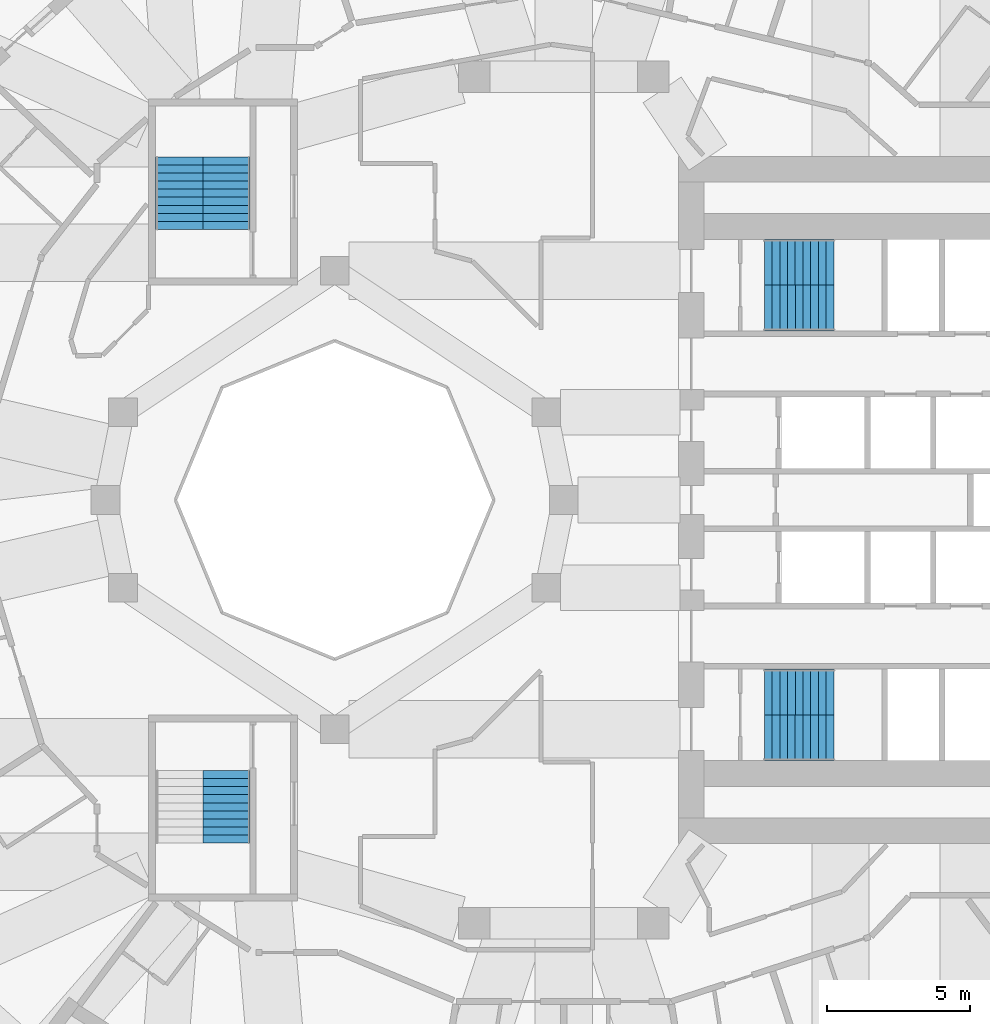
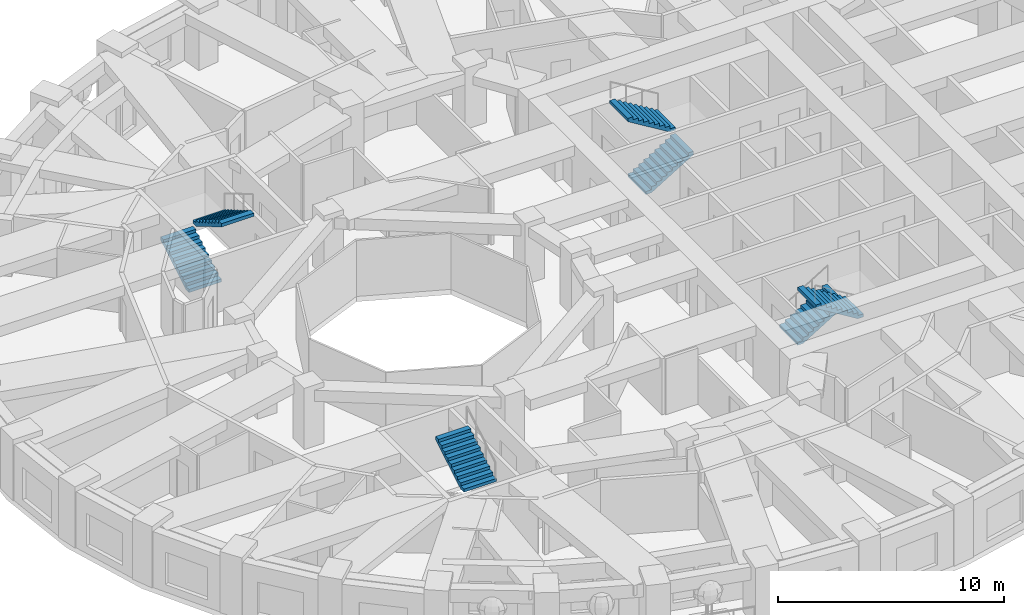
# One storey, part 10 of 13: 7 stair flights, 4 elements without a shape of their own.
"""IFC4 building model written with IfcOpenShell, lengths in metres."""

from ifc_helpers import new_model, si_unit, direction, frame, origin, place, context, subcontext, project, spatial, polyline, outline, extrude, material, type_object, element, aggregate, save


model = new_model("IFC4")

# Units and contexts
model_context = context("Model", 3, precision=1e-05, world=origin(), true_north=direction((0.0, 1.0)))
body_context = subcontext(model_context, "Body", "Model", "MODEL_VIEW")
ifc_project = project(units=[si_unit("LENGTHUNIT", "METRE"), si_unit("AREAUNIT", "SQUARE_METRE"), si_unit("VOLUMEUNIT", "CUBIC_METRE"), si_unit("PLANEANGLEUNIT", "RADIAN"), si_unit("MASSUNIT", "GRAM", prefix="KILO")], contexts=[model_context])

# Site, building, storey
site_placement = place(None, origin())
site = spatial("IfcSite", under=ifc_project, at=site_placement, CompositionType="ELEMENT")
building_placement = place(site_placement, origin())
building = spatial("IfcBuilding", under=site, at=building_placement, Name="Taillehof Tower", CompositionType="ELEMENT")
storey_placement = place(building_placement, frame((0.0, 0.0, 41.5)))
storey = spatial("IfcBuildingStorey", under=building, at=storey_placement, Name="L10", CompositionType="ELEMENT", Elevation=41.5)

# Stair, stair flights
ifc_material_1 = material(Name="Concrete C40/50", Category="concrete")
stair_type = type_object("IfcStairType", Name="Exit stair half-turn", PredefinedType="HALF_TURN_STAIR", material=ifc_material_1)
stair_1_placement = place(storey_placement, origin())
stair_1 = element("IfcStair", 1, at=stair_1_placement, inside=storey, type_object=stair_type, Name="Exit stair S1", PredefinedType="HALF_TURN_STAIR")
ifc_material_2 = material(Name="Concrete C40/50", Category="concrete")
stair_flight_type_1 = type_object("IfcStairFlightType", Name="Stair flight 1600 riser 165.0 going 270", PredefinedType="STRAIGHT", material=ifc_material_2)
stair_flight_1_placement = place(storey_placement, frame((7.0, 6.699951171875, 0.0), z_axis=(0.0, 0.0, 1.0), x_axis=(1.0, 0.0, 0.0)))
stair_flight_1 = element("IfcStairFlight", 2, at=stair_flight_1_placement, type_object=stair_flight_type_1, Name="S1 flight 1", NumberOfRisers=10, NumberOfTreads=9, PredefinedType="STRAIGHT", RiserHeight=0.165, TreadLength=0.27, context=body_context, shape_type="SweptSolid", body=[
    extrude(outline(polyline([(0.0, 0.0), (0.0, 0.00537109375), (0.0, 0.0107421875), (0.0, 0.015869140625), (0.0, 0.021240234375), (0.0, 0.026611328125), (0.0, 0.031982421875), (0.0, 0.037353515625), (0.0, 0.04248046875), (0.0, 0.0478515625), (0.0, 0.05322265625), (0.0, 0.05859375), (0.0, 0.06396484375), (0.0, 0.069091796875), (0.0, 0.074462890625), (0.0, 0.079833984375), (0.0, 0.085205078125), (0.0, 0.090576171875), (0.0, 0.095703125), (0.0, 0.10107421875), (0.0, 0.1064453125), (0.0, 0.11181640625), (0.0, 0.1171875), (0.0, 0.122314453125), (0.0, 0.127685546875), (0.0, 0.133056640625), (0.0, 0.138427734375), (0.0, 0.143798828125), (0.0, 0.14892578125), (0.0, 0.154296875), (0.0, 0.15966796875), (0.0, 0.1650390625), (0.27001953125, 0.1650390625), (0.27001953125, 0.330078125), (0.5400390625, 0.330078125), (0.5400390625, 0.4951171875), (0.81005859375, 0.4951171875), (0.81005859375, 0.659912109375), (1.080078125, 0.659912109375), (1.080078125, 0.824951171875), (1.35009765625, 0.824951171875), (1.35009765625, 0.989990234375), (1.6201171875, 0.989990234375), (1.6201171875, 1.155029296875), (1.889892578125, 1.155029296875), (1.889892578125, 1.320068359375), (2.159912109375, 1.320068359375), (2.159912109375, 1.485107421875), (2.429931640625, 1.485107421875), (2.429931640625, 1.479248046875), (2.429931640625, 1.4736328125), (2.429931640625, 1.468017578125), (2.429931640625, 1.46240234375), (2.429931640625, 1.45654296875), (2.429931640625, 1.450927734375), (2.429931640625, 1.4453125), (2.429931640625, 1.439697265625), (2.429931640625, 1.43408203125), (2.429931640625, 1.42822265625), (2.429931640625, 1.422607421875), (2.429931640625, 1.4169921875), (2.429931640625, 1.411376953125), (2.429931640625, 1.40576171875), (2.429931640625, 1.39990234375), (2.429931640625, 1.394287109375), (2.429931640625, 1.388671875), (2.429931640625, 1.383056640625), (2.429931640625, 1.37744140625), (2.429931640625, 1.37158203125), (2.429931640625, 1.365966796875), (2.429931640625, 1.3603515625), (2.429931640625, 1.354736328125), (2.429931640625, 1.348876953125), (2.429931640625, 1.34326171875), (2.429931640625, 1.337646484375), (2.429931640625, 1.33203125), (2.429931640625, 1.326416015625), (2.429931640625, 1.320556640625), (2.429931640625, 1.31494140625), (2.429931640625, 1.309326171875), (0.287353515625, 0.0), (0.0, 0.0)])), frame((0.0, 0.800048828125, 0.0), z_axis=(0.0, -1.0, 0.0), x_axis=(1.0, 0.0, 0.0)), (0.0, 0.0, 1.0), 1.6),
])
stair_flight_2_placement = place(storey_placement, frame((9.429931640625, 8.300048828125, 1.64990234375), z_axis=(0.0, 0.0, 1.0), x_axis=(-1.0, 0.0, 0.0)))
stair_flight_2 = element("IfcStairFlight", 3, at=stair_flight_2_placement, type_object=stair_flight_type_1, Name="S1 flight 2", NumberOfRisers=10, NumberOfTreads=9, PredefinedType="STRAIGHT", RiserHeight=0.165, TreadLength=0.27, context=body_context, shape_type="SweptSolid", body=[
    extrude(outline(polyline([(0.0, 0.0), (0.0, 0.00537109375), (0.0, 0.0107421875), (0.0, 0.015869140625), (0.0, 0.021240234375), (0.0, 0.026611328125), (0.0, 0.031982421875), (0.0, 0.037353515625), (0.0, 0.04248046875), (0.0, 0.0478515625), (0.0, 0.05322265625), (0.0, 0.05859375), (0.0, 0.06396484375), (0.0, 0.069091796875), (0.0, 0.074462890625), (0.0, 0.079833984375), (0.0, 0.085205078125), (0.0, 0.090576171875), (0.0, 0.095703125), (0.0, 0.10107421875), (0.0, 0.1064453125), (0.0, 0.11181640625), (0.0, 0.1171875), (0.0, 0.122314453125), (0.0, 0.127685546875), (0.0, 0.133056640625), (0.0, 0.138427734375), (0.0, 0.143798828125), (0.0, 0.14892578125), (0.0, 0.154296875), (0.0, 0.15966796875), (0.0, 0.1650390625), (0.27001953125, 0.1650390625), (0.27001953125, 0.330078125), (0.5400390625, 0.330078125), (0.5400390625, 0.4951171875), (0.81005859375, 0.4951171875), (0.81005859375, 0.659912109375), (1.080078125, 0.659912109375), (1.080078125, 0.824951171875), (1.35009765625, 0.824951171875), (1.35009765625, 0.989990234375), (1.6201171875, 0.989990234375), (1.6201171875, 1.155029296875), (1.889892578125, 1.155029296875), (1.889892578125, 1.320068359375), (2.159912109375, 1.320068359375), (2.159912109375, 1.485107421875), (2.429931640625, 1.485107421875), (2.429931640625, 1.479248046875), (2.429931640625, 1.4736328125), (2.429931640625, 1.468017578125), (2.429931640625, 1.46240234375), (2.429931640625, 1.45654296875), (2.429931640625, 1.450927734375), (2.429931640625, 1.4453125), (2.429931640625, 1.439697265625), (2.429931640625, 1.43408203125), (2.429931640625, 1.42822265625), (2.429931640625, 1.422607421875), (2.429931640625, 1.4169921875), (2.429931640625, 1.411376953125), (2.429931640625, 1.40576171875), (2.429931640625, 1.39990234375), (2.429931640625, 1.394287109375), (2.429931640625, 1.388671875), (2.429931640625, 1.383056640625), (2.429931640625, 1.37744140625), (2.429931640625, 1.37158203125), (2.429931640625, 1.365966796875), (2.429931640625, 1.3603515625), (2.429931640625, 1.354736328125), (2.429931640625, 1.348876953125), (2.429931640625, 1.34326171875), (2.429931640625, 1.337646484375), (2.429931640625, 1.33203125), (2.429931640625, 1.326416015625), (2.429931640625, 1.320556640625), (2.429931640625, 1.31494140625), (2.429931640625, 1.309326171875), (0.287353515625, 0.0), (0.0, 0.0)])), frame((0.0, 0.800048828125, 0.0), z_axis=(0.0, -1.0, 0.0), x_axis=(1.0, 0.0, 0.0)), (0.0, 0.0, 1.0), 1.6),
])
aggregate(stair_1, [stair_flight_1, stair_flight_2])

stair_2_placement = place(storey_placement, origin())
stair_2 = element("IfcStair", 4, at=stair_2_placement, inside=storey, type_object=stair_type, Name="Exit stair S2", PredefinedType="HALF_TURN_STAIR")
stair_flight_3_placement = place(storey_placement, frame((7.0, -6.699951171875, 0.0), z_axis=(0.0, 0.0, 1.0), x_axis=(1.0, 0.0, 0.0)))
stair_flight_3 = element("IfcStairFlight", 5, at=stair_flight_3_placement, type_object=stair_flight_type_1, Name="S2 flight 1", NumberOfRisers=10, NumberOfTreads=9, PredefinedType="STRAIGHT", RiserHeight=0.165, TreadLength=0.27, context=body_context, shape_type="SweptSolid", body=[
    extrude(outline(polyline([(0.0, 0.0), (0.0, 0.00537109375), (0.0, 0.0107421875), (0.0, 0.015869140625), (0.0, 0.021240234375), (0.0, 0.026611328125), (0.0, 0.031982421875), (0.0, 0.037353515625), (0.0, 0.04248046875), (0.0, 0.0478515625), (0.0, 0.05322265625), (0.0, 0.05859375), (0.0, 0.06396484375), (0.0, 0.069091796875), (0.0, 0.074462890625), (0.0, 0.079833984375), (0.0, 0.085205078125), (0.0, 0.090576171875), (0.0, 0.095703125), (0.0, 0.10107421875), (0.0, 0.1064453125), (0.0, 0.11181640625), (0.0, 0.1171875), (0.0, 0.122314453125), (0.0, 0.127685546875), (0.0, 0.133056640625), (0.0, 0.138427734375), (0.0, 0.143798828125), (0.0, 0.14892578125), (0.0, 0.154296875), (0.0, 0.15966796875), (0.0, 0.1650390625), (0.27001953125, 0.1650390625), (0.27001953125, 0.330078125), (0.5400390625, 0.330078125), (0.5400390625, 0.4951171875), (0.81005859375, 0.4951171875), (0.81005859375, 0.659912109375), (1.080078125, 0.659912109375), (1.080078125, 0.824951171875), (1.35009765625, 0.824951171875), (1.35009765625, 0.989990234375), (1.6201171875, 0.989990234375), (1.6201171875, 1.155029296875), (1.889892578125, 1.155029296875), (1.889892578125, 1.320068359375), (2.159912109375, 1.320068359375), (2.159912109375, 1.485107421875), (2.429931640625, 1.485107421875), (2.429931640625, 1.479248046875), (2.429931640625, 1.4736328125), (2.429931640625, 1.468017578125), (2.429931640625, 1.46240234375), (2.429931640625, 1.45654296875), (2.429931640625, 1.450927734375), (2.429931640625, 1.4453125), (2.429931640625, 1.439697265625), (2.429931640625, 1.43408203125), (2.429931640625, 1.42822265625), (2.429931640625, 1.422607421875), (2.429931640625, 1.4169921875), (2.429931640625, 1.411376953125), (2.429931640625, 1.40576171875), (2.429931640625, 1.39990234375), (2.429931640625, 1.394287109375), (2.429931640625, 1.388671875), (2.429931640625, 1.383056640625), (2.429931640625, 1.37744140625), (2.429931640625, 1.37158203125), (2.429931640625, 1.365966796875), (2.429931640625, 1.3603515625), (2.429931640625, 1.354736328125), (2.429931640625, 1.348876953125), (2.429931640625, 1.34326171875), (2.429931640625, 1.337646484375), (2.429931640625, 1.33203125), (2.429931640625, 1.326416015625), (2.429931640625, 1.320556640625), (2.429931640625, 1.31494140625), (2.429931640625, 1.309326171875), (0.287353515625, 0.0), (0.0, 0.0)])), frame((0.0, 0.800048828125, 0.0), z_axis=(0.0, -1.0, 0.0), x_axis=(1.0, 0.0, 0.0)), (0.0, 0.0, 1.0), 1.6),
])
stair_flight_4_placement = place(storey_placement, frame((9.429931640625, -8.300048828125, 1.64990234375), z_axis=(0.0, 0.0, 1.0), x_axis=(-1.0, 0.0, 0.0)))
stair_flight_4 = element("IfcStairFlight", 6, at=stair_flight_4_placement, type_object=stair_flight_type_1, Name="S2 flight 2", NumberOfRisers=10, NumberOfTreads=9, PredefinedType="STRAIGHT", RiserHeight=0.165, TreadLength=0.27, context=body_context, shape_type="SweptSolid", body=[
    extrude(outline(polyline([(0.0, 0.0), (0.0, 0.00537109375), (0.0, 0.0107421875), (0.0, 0.015869140625), (0.0, 0.021240234375), (0.0, 0.026611328125), (0.0, 0.031982421875), (0.0, 0.037353515625), (0.0, 0.04248046875), (0.0, 0.0478515625), (0.0, 0.05322265625), (0.0, 0.05859375), (0.0, 0.06396484375), (0.0, 0.069091796875), (0.0, 0.074462890625), (0.0, 0.079833984375), (0.0, 0.085205078125), (0.0, 0.090576171875), (0.0, 0.095703125), (0.0, 0.10107421875), (0.0, 0.1064453125), (0.0, 0.11181640625), (0.0, 0.1171875), (0.0, 0.122314453125), (0.0, 0.127685546875), (0.0, 0.133056640625), (0.0, 0.138427734375), (0.0, 0.143798828125), (0.0, 0.14892578125), (0.0, 0.154296875), (0.0, 0.15966796875), (0.0, 0.1650390625), (0.27001953125, 0.1650390625), (0.27001953125, 0.330078125), (0.5400390625, 0.330078125), (0.5400390625, 0.4951171875), (0.81005859375, 0.4951171875), (0.81005859375, 0.659912109375), (1.080078125, 0.659912109375), (1.080078125, 0.824951171875), (1.35009765625, 0.824951171875), (1.35009765625, 0.989990234375), (1.6201171875, 0.989990234375), (1.6201171875, 1.155029296875), (1.889892578125, 1.155029296875), (1.889892578125, 1.320068359375), (2.159912109375, 1.320068359375), (2.159912109375, 1.485107421875), (2.429931640625, 1.485107421875), (2.429931640625, 1.479248046875), (2.429931640625, 1.4736328125), (2.429931640625, 1.468017578125), (2.429931640625, 1.46240234375), (2.429931640625, 1.45654296875), (2.429931640625, 1.450927734375), (2.429931640625, 1.4453125), (2.429931640625, 1.439697265625), (2.429931640625, 1.43408203125), (2.429931640625, 1.42822265625), (2.429931640625, 1.422607421875), (2.429931640625, 1.4169921875), (2.429931640625, 1.411376953125), (2.429931640625, 1.40576171875), (2.429931640625, 1.39990234375), (2.429931640625, 1.394287109375), (2.429931640625, 1.388671875), (2.429931640625, 1.383056640625), (2.429931640625, 1.37744140625), (2.429931640625, 1.37158203125), (2.429931640625, 1.365966796875), (2.429931640625, 1.3603515625), (2.429931640625, 1.354736328125), (2.429931640625, 1.348876953125), (2.429931640625, 1.34326171875), (2.429931640625, 1.337646484375), (2.429931640625, 1.33203125), (2.429931640625, 1.326416015625), (2.429931640625, 1.320556640625), (2.429931640625, 1.31494140625), (2.429931640625, 1.309326171875), (0.287353515625, 0.0), (0.0, 0.0)])), frame((0.0, 0.800048828125, 0.0), z_axis=(0.0, -1.0, 0.0), x_axis=(1.0, 0.0, 0.0)), (0.0, 0.0, 1.0), 1.6),
])
aggregate(stair_2, [stair_flight_3, stair_flight_4])

stair_3_placement = place(storey_placement, origin())
stair_3 = element("IfcStair", 7, at=stair_3_placement, inside=storey, type_object=stair_type, Name="Exit stair S3", PredefinedType="HALF_TURN_STAIR")
ifc_material_3 = material(Name="Concrete C40/50", Category="concrete")
stair_flight_type_2 = type_object("IfcStairFlightType", Name="Stair flight 1650 riser 165.0 going 280", PredefinedType="STRAIGHT", material=ifc_material_3)
stair_flight_5_placement = place(storey_placement, frame((-13.425048828125, 9.449951171875, 0.0), z_axis=(0.0, 0.0, 1.0), x_axis=(0.0, 1.0, 0.0)))
stair_flight_5 = element("IfcStairFlight", 8, at=stair_flight_5_placement, type_object=stair_flight_type_2, Name="S3 flight 1", NumberOfRisers=10, NumberOfTreads=9, PredefinedType="STRAIGHT", RiserHeight=0.165, TreadLength=0.28, context=body_context, shape_type="SweptSolid", body=[
    extrude(outline(polyline([(0.0, 0.0), (0.0, 0.00537109375), (0.0, 0.0107421875), (0.0, 0.015869140625), (0.0, 0.021240234375), (0.0, 0.026611328125), (0.0, 0.031982421875), (0.0, 0.037353515625), (0.0, 0.04248046875), (0.0, 0.0478515625), (0.0, 0.05322265625), (0.0, 0.05859375), (0.0, 0.06396484375), (0.0, 0.069091796875), (0.0, 0.074462890625), (0.0, 0.079833984375), (0.0, 0.085205078125), (0.0, 0.090576171875), (0.0, 0.095703125), (0.0, 0.10107421875), (0.0, 0.1064453125), (0.0, 0.11181640625), (0.0, 0.1171875), (0.0, 0.122314453125), (0.0, 0.127685546875), (0.0, 0.133056640625), (0.0, 0.138427734375), (0.0, 0.143798828125), (0.0, 0.14892578125), (0.0, 0.154296875), (0.0, 0.15966796875), (0.0, 0.1650390625), (0.280029296875, 0.1650390625), (0.280029296875, 0.330078125), (0.56005859375, 0.330078125), (0.56005859375, 0.4951171875), (0.840087890625, 0.4951171875), (0.840087890625, 0.659912109375), (1.1201171875, 0.659912109375), (1.1201171875, 0.824951171875), (1.39990234375, 0.824951171875), (1.39990234375, 0.989990234375), (1.679931640625, 0.989990234375), (1.679931640625, 1.155029296875), (1.9599609375, 1.155029296875), (1.9599609375, 1.320068359375), (2.239990234375, 1.320068359375), (2.239990234375, 1.485107421875), (2.52001953125, 1.485107421875), (2.52001953125, 1.4794921875), (2.52001953125, 1.473876953125), (2.52001953125, 1.46826171875), (2.52001953125, 1.462646484375), (2.52001953125, 1.45703125), (2.52001953125, 1.451416015625), (2.52001953125, 1.44580078125), (2.52001953125, 1.440185546875), (2.52001953125, 1.4345703125), (2.52001953125, 1.428955078125), (2.52001953125, 1.42333984375), (2.52001953125, 1.417724609375), (2.52001953125, 1.412109375), (2.52001953125, 1.406494140625), (2.52001953125, 1.40087890625), (2.52001953125, 1.395263671875), (2.52001953125, 1.3896484375), (2.52001953125, 1.384033203125), (2.52001953125, 1.37841796875), (2.52001953125, 1.372802734375), (2.52001953125, 1.3671875), (2.52001953125, 1.361572265625), (2.52001953125, 1.35595703125), (2.52001953125, 1.350341796875), (2.52001953125, 1.3447265625), (2.52001953125, 1.339111328125), (2.52001953125, 1.33349609375), (2.52001953125, 1.327880859375), (2.52001953125, 1.322265625), (2.52001953125, 1.316650390625), (2.52001953125, 1.31103515625), (0.295166015625, 0.0), (0.0, 0.0)])), frame((0.0, 0.824951171875, 0.0), z_axis=(0.0, -1.0, 0.0), x_axis=(1.0, 0.0, 0.0)), (0.0, 0.0, 1.0), 1.65),
])
stair_flight_6_placement = place(storey_placement, frame((-11.77490234375, 11.969970703125, 1.64990234375), z_axis=(0.0, 0.0, 1.0), x_axis=(0.0, -1.0, 0.0)))
stair_flight_6 = element("IfcStairFlight", 9, at=stair_flight_6_placement, type_object=stair_flight_type_2, Name="S3 flight 2", NumberOfRisers=10, NumberOfTreads=9, PredefinedType="STRAIGHT", RiserHeight=0.165, TreadLength=0.28, context=body_context, shape_type="SweptSolid", body=[
    extrude(outline(polyline([(0.0, 0.0), (0.0, 0.00537109375), (0.0, 0.0107421875), (0.0, 0.015869140625), (0.0, 0.021240234375), (0.0, 0.026611328125), (0.0, 0.031982421875), (0.0, 0.037353515625), (0.0, 0.04248046875), (0.0, 0.0478515625), (0.0, 0.05322265625), (0.0, 0.05859375), (0.0, 0.06396484375), (0.0, 0.069091796875), (0.0, 0.074462890625), (0.0, 0.079833984375), (0.0, 0.085205078125), (0.0, 0.090576171875), (0.0, 0.095703125), (0.0, 0.10107421875), (0.0, 0.1064453125), (0.0, 0.11181640625), (0.0, 0.1171875), (0.0, 0.122314453125), (0.0, 0.127685546875), (0.0, 0.133056640625), (0.0, 0.138427734375), (0.0, 0.143798828125), (0.0, 0.14892578125), (0.0, 0.154296875), (0.0, 0.15966796875), (0.0, 0.1650390625), (0.280029296875, 0.1650390625), (0.280029296875, 0.330078125), (0.56005859375, 0.330078125), (0.56005859375, 0.4951171875), (0.840087890625, 0.4951171875), (0.840087890625, 0.659912109375), (1.1201171875, 0.659912109375), (1.1201171875, 0.824951171875), (1.39990234375, 0.824951171875), (1.39990234375, 0.989990234375), (1.679931640625, 0.989990234375), (1.679931640625, 1.155029296875), (1.9599609375, 1.155029296875), (1.9599609375, 1.320068359375), (2.239990234375, 1.320068359375), (2.239990234375, 1.485107421875), (2.52001953125, 1.485107421875), (2.52001953125, 1.4794921875), (2.52001953125, 1.473876953125), (2.52001953125, 1.46826171875), (2.52001953125, 1.462646484375), (2.52001953125, 1.45703125), (2.52001953125, 1.451416015625), (2.52001953125, 1.44580078125), (2.52001953125, 1.440185546875), (2.52001953125, 1.4345703125), (2.52001953125, 1.428955078125), (2.52001953125, 1.42333984375), (2.52001953125, 1.417724609375), (2.52001953125, 1.412109375), (2.52001953125, 1.406494140625), (2.52001953125, 1.40087890625), (2.52001953125, 1.395263671875), (2.52001953125, 1.3896484375), (2.52001953125, 1.384033203125), (2.52001953125, 1.37841796875), (2.52001953125, 1.372802734375), (2.52001953125, 1.3671875), (2.52001953125, 1.361572265625), (2.52001953125, 1.35595703125), (2.52001953125, 1.350341796875), (2.52001953125, 1.3447265625), (2.52001953125, 1.339111328125), (2.52001953125, 1.33349609375), (2.52001953125, 1.327880859375), (2.52001953125, 1.322265625), (2.52001953125, 1.316650390625), (2.52001953125, 1.31103515625), (0.295166015625, 0.0), (0.0, 0.0)])), frame((0.0, 0.824951171875, 0.0), z_axis=(0.0, -1.0, 0.0), x_axis=(1.0, 0.0, 0.0)), (0.0, 0.0, 1.0), 1.65),
])
aggregate(stair_3, [stair_flight_5, stair_flight_6])

# Stair, stair flight
stair_4_placement = place(storey_placement, origin())
stair_4 = element("IfcStair", 10, at=stair_4_placement, inside=storey, type_object=stair_type, Name="Exit stair S4", PredefinedType="HALF_TURN_STAIR")
stair_flight_7_placement = place(storey_placement, frame((-11.77490234375, -11.969970703125, 1.64990234375), z_axis=(0.0, 0.0, 1.0), x_axis=(0.0, 1.0, 0.0)))
stair_flight_7 = element("IfcStairFlight", 11, at=stair_flight_7_placement, type_object=stair_flight_type_2, Name="S4 flight 2", NumberOfRisers=10, NumberOfTreads=9, PredefinedType="STRAIGHT", RiserHeight=0.165, TreadLength=0.28, context=body_context, shape_type="SweptSolid", body=[
    extrude(outline(polyline([(0.0, 0.0), (0.0, 0.00537109375), (0.0, 0.0107421875), (0.0, 0.015869140625), (0.0, 0.021240234375), (0.0, 0.026611328125), (0.0, 0.031982421875), (0.0, 0.037353515625), (0.0, 0.04248046875), (0.0, 0.0478515625), (0.0, 0.05322265625), (0.0, 0.05859375), (0.0, 0.06396484375), (0.0, 0.069091796875), (0.0, 0.074462890625), (0.0, 0.079833984375), (0.0, 0.085205078125), (0.0, 0.090576171875), (0.0, 0.095703125), (0.0, 0.10107421875), (0.0, 0.1064453125), (0.0, 0.11181640625), (0.0, 0.1171875), (0.0, 0.122314453125), (0.0, 0.127685546875), (0.0, 0.133056640625), (0.0, 0.138427734375), (0.0, 0.143798828125), (0.0, 0.14892578125), (0.0, 0.154296875), (0.0, 0.15966796875), (0.0, 0.1650390625), (0.280029296875, 0.1650390625), (0.280029296875, 0.330078125), (0.56005859375, 0.330078125), (0.56005859375, 0.4951171875), (0.840087890625, 0.4951171875), (0.840087890625, 0.659912109375), (1.1201171875, 0.659912109375), (1.1201171875, 0.824951171875), (1.39990234375, 0.824951171875), (1.39990234375, 0.989990234375), (1.679931640625, 0.989990234375), (1.679931640625, 1.155029296875), (1.9599609375, 1.155029296875), (1.9599609375, 1.320068359375), (2.239990234375, 1.320068359375), (2.239990234375, 1.485107421875), (2.52001953125, 1.485107421875), (2.52001953125, 1.4794921875), (2.52001953125, 1.473876953125), (2.52001953125, 1.46826171875), (2.52001953125, 1.462646484375), (2.52001953125, 1.45703125), (2.52001953125, 1.451416015625), (2.52001953125, 1.44580078125), (2.52001953125, 1.440185546875), (2.52001953125, 1.4345703125), (2.52001953125, 1.428955078125), (2.52001953125, 1.42333984375), (2.52001953125, 1.417724609375), (2.52001953125, 1.412109375), (2.52001953125, 1.406494140625), (2.52001953125, 1.40087890625), (2.52001953125, 1.395263671875), (2.52001953125, 1.3896484375), (2.52001953125, 1.384033203125), (2.52001953125, 1.37841796875), (2.52001953125, 1.372802734375), (2.52001953125, 1.3671875), (2.52001953125, 1.361572265625), (2.52001953125, 1.35595703125), (2.52001953125, 1.350341796875), (2.52001953125, 1.3447265625), (2.52001953125, 1.339111328125), (2.52001953125, 1.33349609375), (2.52001953125, 1.327880859375), (2.52001953125, 1.322265625), (2.52001953125, 1.316650390625), (2.52001953125, 1.31103515625), (0.295166015625, 0.0), (0.0, 0.0)])), frame((0.0, 0.824951171875, 0.0), z_axis=(0.0, -1.0, 0.0), x_axis=(1.0, 0.0, 0.0)), (0.0, 0.0, 1.0), 1.65),
])
aggregate(stair_4, [stair_flight_7])

save(model, "model.ifc")
